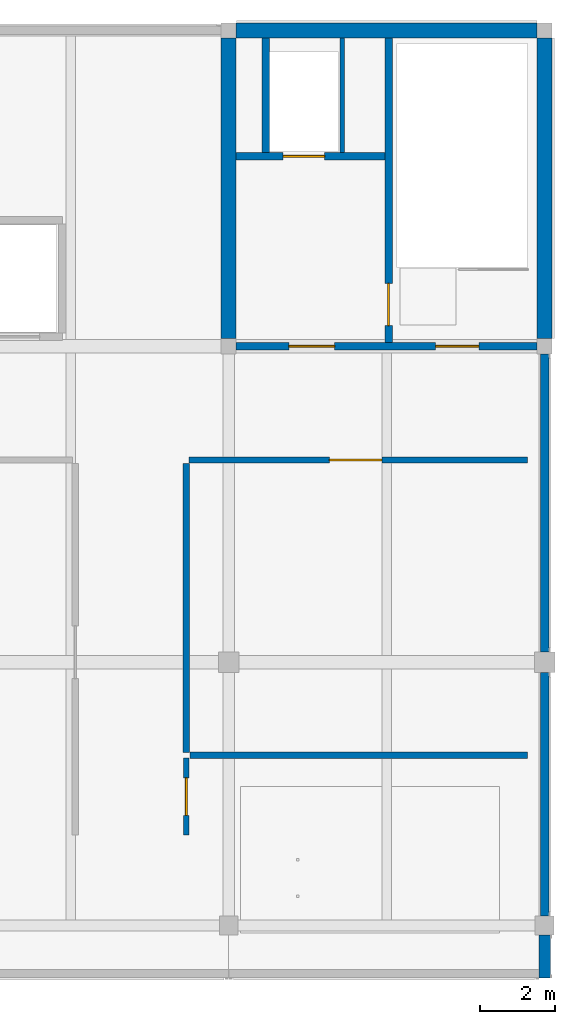
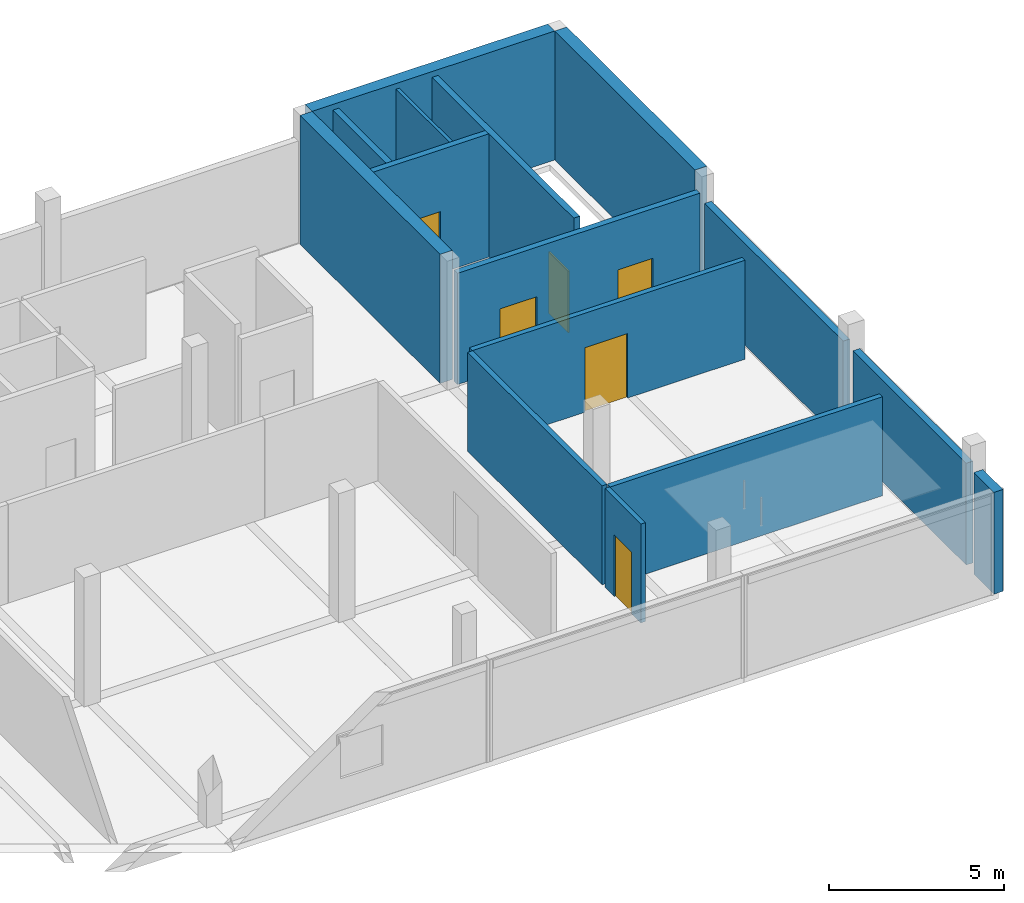
# One storey, part 3 of 11: 15 walls, 6 doors, 6 openings.
"""IFC4 building model written with IfcOpenShell, lengths in metres."""

from ifc_helpers import new_model, si_unit, direction, frame, frame_2d, origin, place, context, subcontext, project, spatial, rectangle, extrude, material, layer, layer_set, type_object, element, fill, save


model = new_model("IFC4")

# Units and contexts
model_context = context("Model", 3, precision=1e-05, world=origin(), true_north=direction((0.0, 1.0)))
body_context = subcontext(model_context, "Body", "Model", "MODEL_VIEW")
ifc_project = project(units=[si_unit("LENGTHUNIT", "METRE"), si_unit("AREAUNIT", "SQUARE_METRE"), si_unit("VOLUMEUNIT", "CUBIC_METRE"), si_unit("PLANEANGLEUNIT", "RADIAN"), si_unit("MASSUNIT", "GRAM", prefix="KILO")], contexts=[model_context])

# Site, building, storey
site_placement = place(None, origin())
site = spatial("IfcSite", under=ifc_project, at=site_placement, CompositionType="ELEMENT")
building_placement = place(site_placement, origin())
building = spatial("IfcBuilding", under=site, at=building_placement, Name="Telukmera Botanical Conservatory", CompositionType="ELEMENT")
storey_placement = place(building_placement, frame((0.0, 0.0, 73.5)))
storey = spatial("IfcBuildingStorey", under=building, at=storey_placement, Name="L16", CompositionType="ELEMENT", Elevation=73.5)

# Walls
ifc_material_1 = material(Name="Terracotta-faced precast concrete C40/50", Category="masonry")
ifc_layer_1 = layer(ifc_material_1, 0.300048828125)
ifc_layer_set_1 = layer_set([ifc_layer_1], Name="Terracotta-faced precast concrete C40/50")
wall_type_1 = type_object("IfcWallType", Name="Exterior Polychrome Terracotta Precast Wall 300", PredefinedType="SOLIDWALL", material=ifc_layer_set_1)
wall_1_placement = place(storey_placement, frame((100.800048828125, 9.199951171875, 0.0), z_axis=(0.0, 0.0, 1.0), x_axis=(0.0, 1.0, 0.0)))
element("IfcWall", 1, at=wall_1_placement, inside=storey, type_object=wall_type_1, Name="Exterior Precast Wall EW02 V4:L16:SEC", PredefinedType="SOLIDWALL", context=body_context, shape_type="SweptSolid", body=[
    extrude(rectangle(XDim=1.14794921875, YDim=0.300048828125, at=frame_2d((0.573974609375, 0.0))), origin(), (0.0, 0.0, 1.0), 3.550048828125),
])
ifc_layer_2 = layer(ifc_material_1, 0.219970703125)
ifc_layer_set_2 = layer_set([ifc_layer_2], Name="Terracotta-faced precast concrete C40/50")
wall_type_2 = type_object("IfcWallType", Name="Exterior Terracotta Rainscreen Cladding Wall 220", PredefinedType="USERDEFINED", material=ifc_layer_set_2)
wall_2_placement = place(storey_placement, frame((100.800048828125, 10.85205078125, 0.0), z_axis=(0.0, 0.0, 1.0), x_axis=(0.0, 1.0, 0.0)))
element("IfcWall", 2, at=wall_2_placement, inside=storey, type_object=wall_type_2, Name="Exterior Precast Wall EW07 V4:L16:E1", ObjectType="CLADDING", PredefinedType="USERDEFINED", context=body_context, shape_type="SweptSolid", body=[
    extrude(rectangle(XDim=6.470947265625, YDim=0.219970703125, at=frame_2d((3.2353515625, 0.0))), origin(), (0.0, 0.0, 1.0), 3.550048828125),
])
wall_3_placement = place(storey_placement, frame((100.800048828125, 17.876953125, 0.0), z_axis=(0.0, 0.0, 1.0), x_axis=(0.0, 1.0, 0.0)))
element("IfcWall", 3, at=wall_3_placement, inside=storey, type_object=wall_type_2, Name="Exterior Precast Wall EW07 V4:L16:E2", ObjectType="CLADDING", PredefinedType="USERDEFINED", context=body_context, shape_type="SweptSolid", body=[
    extrude(rectangle(XDim=7.921142578125, YDim=0.219970703125, at=frame_2d((3.96044921875, 0.0))), origin(), (0.0, 0.0, 1.0), 3.550048828125),
])

# Wall, openings, doors
ifc_material_2 = material(Name="Concrete C40/50", Category="concrete")
ifc_layer_3 = layer(ifc_material_2, 0.199951171875)
ifc_layer_set_3 = layer_set([ifc_layer_3], Name="Concrete C40/50")
wall_type_3 = type_object("IfcWallType", Name="WT-CORE-200", PredefinedType="SOLIDWALL", material=ifc_layer_set_3)
wall_4_placement = place(storey_placement, frame((92.60009765625, 26.0, 0.0), z_axis=(0.0, 0.0, 1.0), x_axis=(1.0, 0.0, 0.0)))
wall_4 = element("IfcWall", 4, at=wall_4_placement, inside=storey, type_object=wall_type_3, Name="L16 Core C2 South Fire Wall", PredefinedType="SOLIDWALL", context=body_context, shape_type="SweptSolid", body=[
    extrude(rectangle(XDim=8.0, YDim=0.199951171875, at=frame_2d((4.0, 0.0))), origin(), (0.0, 0.0, 1.0), 3.8798828125),
])
opening_1_placement = place(wall_4_placement, frame((1.39990234375, 0.0, 0.0)))
opening_1 = element("IfcOpeningElement", 5, at=opening_1_placement, cuts=wall_4, Name="Opening FD60C", PredefinedType="OPENING", context=body_context, shape_type="SweptSolid", body=[
    extrude(rectangle(XDim=1.219970703125, YDim=2.14990234375, at=frame_2d((0.60986328125, 1.074951171875))), frame((0.0, 0.10986328125, 0.0), z_axis=(0.0, -1.0, 0.0), x_axis=(1.0, 0.0, 0.0)), (0.0, 0.0, 1.0), 0.219970703125),
])
opening_2_placement = place(wall_4_placement, frame((5.300048828125, 0.0, 0.0)))
opening_2 = element("IfcOpeningElement", 6, at=opening_2_placement, cuts=wall_4, Name="Opening FD60A", PredefinedType="OPENING", context=body_context, shape_type="SweptSolid", body=[
    extrude(rectangle(XDim=1.14990234375, YDim=2.14990234375, at=frame_2d((0.574951171875, 1.074951171875))), frame((0.0, 0.10986328125, 0.0), z_axis=(0.0, -1.0, 0.0), x_axis=(1.0, 0.0, 0.0)), (0.0, 0.0, 1.0), 0.219970703125),
])
ifc_material_3 = material(Name="Hardwood fire door", Category="wood")
door_type_1 = type_object("IfcDoorType", Name="DT-FD60-01", OperationType="NOTDEFINED", PredefinedType="DOOR", material=ifc_material_3)
door_1_placement = place(opening_2_placement, origin())
door_1 = element("IfcDoor", 7, at=door_1_placement, inside=storey, type_object=door_type_1, Name="L16 Stair ST2 Escape Door", OperationType="SINGLE_SWING_RIGHT", OverallHeight=2.14990234375, OverallWidth=1.14990234375, PredefinedType="DOOR", context=body_context, shape_type="SweptSolid", body=[
    extrude(rectangle(XDim=1.14990234375, YDim=2.14990234375, at=frame_2d((0.574951171875, 1.074951171875))), frame((0.0, 0.02490234375, 0.0), z_axis=(0.0, -1.0, 0.0), x_axis=(1.0, 0.0, 0.0)), (0.0, 0.0, 1.0), 0.050048828125),
])
fill(opening_2, door_1)
door_type_2 = type_object("IfcDoorType", Name="DT-FD60-03", OperationType="NOTDEFINED", PredefinedType="DOOR", material=ifc_material_3)
door_2_placement = place(opening_1_placement, origin())
door_2 = element("IfcDoor", 8, at=door_2_placement, inside=storey, type_object=door_type_2, Name="L16 Firefighting Lobby C2 Door", OperationType="SINGLE_SWING_LEFT", OverallHeight=2.14990234375, OverallWidth=1.219970703125, PredefinedType="DOOR", context=body_context, shape_type="SweptSolid", body=[
    extrude(rectangle(XDim=1.219970703125, YDim=2.14990234375, at=frame_2d((0.60986328125, 1.074951171875))), frame((0.0, 0.02490234375, 0.0), z_axis=(0.0, -1.0, 0.0), x_axis=(1.0, 0.0, 0.0)), (0.0, 0.0, 1.0), 0.050048828125),
])
fill(opening_1, door_2)

# Wall, opening, door
wall_5_placement = place(storey_placement, frame((96.64990234375, 26.10009765625, 0.0), z_axis=(0.0, 0.0, 1.0), x_axis=(0.0, 1.0, 0.0)))
wall_5 = element("IfcWall", 9, at=wall_5_placement, inside=storey, type_object=wall_type_3, Name="L16 Core C2 Stair-Lobby Wall", PredefinedType="SOLIDWALL", context=body_context, shape_type="SweptSolid", body=[
    extrude(rectangle(XDim=8.099853515625, YDim=0.199951171875, at=frame_2d((4.0498046875, 0.0))), origin(), (0.0, 0.0, 1.0), 4.300048828125),
])
opening_3_placement = place(wall_5_placement, frame((0.449951171875, 0.0, 0.0)))
opening_3 = element("IfcOpeningElement", 10, at=opening_3_placement, cuts=wall_5, Name="Opening FD60B", PredefinedType="OPENING", context=body_context, shape_type="SweptSolid", body=[
    extrude(rectangle(XDim=1.1201171875, YDim=2.14990234375, at=frame_2d((0.56005859375, 1.074951171875))), frame((0.0, 0.10986328125, 0.0), z_axis=(0.0, -1.0, 0.0), x_axis=(1.0, 0.0, 0.0)), (0.0, 0.0, 1.0), 0.219970703125),
])
door_type_3 = type_object("IfcDoorType", Name="DT-FD60-02", OperationType="NOTDEFINED", PredefinedType="DOOR", material=ifc_material_3)
door_3_placement = place(opening_3_placement, frame((1.1201171875, 0.0, 0.0), z_axis=(0.0, 0.0, 1.0), x_axis=(-1.0, 0.0, 0.0)))
door_3 = element("IfcDoor", 11, at=door_3_placement, inside=storey, type_object=door_type_3, Name="L16 Firefighting Lobby C2 to ST2 Door", OperationType="SINGLE_SWING_LEFT", OverallHeight=2.14990234375, OverallWidth=1.1201171875, PredefinedType="DOOR", context=body_context, shape_type="SweptSolid", body=[
    extrude(rectangle(XDim=1.1201171875, YDim=2.14990234375, at=frame_2d((0.56005859375, 1.074951171875))), frame((0.0, 0.02490234375, 0.0), z_axis=(0.0, -1.0, 0.0), x_axis=(1.0, 0.0, 0.0)), (0.0, 0.0, 1.0), 0.050048828125),
])
fill(opening_3, door_3)

wall_6_placement = place(storey_placement, frame((92.60009765625, 31.050048828125, 0.0), z_axis=(0.0, 0.0, 1.0), x_axis=(1.0, 0.0, 0.0)))
wall_6 = element("IfcWall", 12, at=wall_6_placement, inside=storey, type_object=wall_type_3, Name="L16 Fire Lift FL2 Shaft Front Wall", PredefinedType="SOLIDWALL", context=body_context, shape_type="SweptSolid", body=[
    extrude(rectangle(XDim=3.949951171875, YDim=0.199951171875, at=frame_2d((1.97509765625, 0.0))), origin(), (0.0, 0.0, 1.0), 4.300048828125),
])
opening_4_placement = place(wall_6_placement, frame((1.25, 0.0, 0.0)))
opening_4 = element("IfcOpeningElement", 13, at=opening_4_placement, cuts=wall_6, Name="Opening LD01", PredefinedType="OPENING", context=body_context, shape_type="SweptSolid", body=[
    extrude(rectangle(XDim=1.10009765625, YDim=2.14990234375, at=frame_2d((0.550048828125, 1.074951171875))), frame((0.0, 0.10986328125, 0.0), z_axis=(0.0, -1.0, 0.0), x_axis=(1.0, 0.0, 0.0)), (0.0, 0.0, 1.0), 0.219970703125),
])
ifc_material_4 = material(Name="Stainless steel 316", Category="steel")
door_type_4 = type_object("IfcDoorType", Name="DT-LD01", OperationType="SLIDING_TO_LEFT", PredefinedType="DOOR", material=ifc_material_4)
door_4_placement = place(opening_4_placement, frame((1.10009765625, 0.0, 0.0), z_axis=(0.0, 0.0, 1.0), x_axis=(-1.0, 0.0, 0.0)))
door_4 = element("IfcDoor", 14, at=door_4_placement, inside=storey, type_object=door_type_4, Name="L16 Lift Landing Door FL2", OperationType="SLIDING_TO_LEFT", OverallHeight=2.14990234375, OverallWidth=1.10009765625, PredefinedType="DOOR", context=body_context, shape_type="SweptSolid", body=[
    extrude(rectangle(XDim=1.10009765625, YDim=2.14990234375, at=frame_2d((0.550048828125, 1.074951171875))), frame((0.0, 0.02490234375, 0.0), z_axis=(0.0, -1.0, 0.0), x_axis=(1.0, 0.0, 0.0)), (0.0, 0.0, 1.0), 0.050048828125),
])
fill(opening_4, door_4)

# Wall
wall_7_placement = place(storey_placement, frame((93.3798828125, 31.14990234375, 0.0), z_axis=(0.0, 0.0, 1.0), x_axis=(0.0, 1.0, 0.0)))
element("IfcWall", 15, at=wall_7_placement, inside=storey, type_object=wall_type_3, Name="L16 Fire Lift FL2 Shaft West Wall", PredefinedType="SOLIDWALL", context=body_context, shape_type="SweptSolid", body=[
    extrude(rectangle(XDim=3.050048828125, YDim=0.199951171875, at=frame_2d((1.52490234375, 0.0))), origin(), (0.0, 0.0, 1.0), 4.300048828125),
])

# Wall, opening, door
ifc_material_5 = material(Name="Blockwork masonry", Category="masonry")
ifc_layer_4 = layer(ifc_material_5, 0.169921875)
ifc_layer_set_4 = layer_set([ifc_layer_4], Name="Blockwork masonry")
wall_type_4 = type_object("IfcWallType", Name="WT-PLANT-170", PredefinedType="PARTITIONING", material=ifc_layer_set_4)
wall_8_placement = place(storey_placement, frame((91.35009765625, 22.97509765625, 0.0), z_axis=(0.0, 0.0, 1.0), x_axis=(1.0, 0.0, 0.0)))
wall_8 = element("IfcWall", 16, at=wall_8_placement, inside=storey, type_object=wall_type_4, Name="L16 Interior Partition 13", PredefinedType="PARTITIONING", context=body_context, shape_type="SweptSolid", body=[
    extrude(rectangle(XDim=9.0, YDim=0.169921875, at=frame_2d((4.5, 0.0))), origin(), (0.0, 0.0, 1.0), 3.449951171875),
])
opening_5_placement = place(wall_8_placement, frame((3.724609375, 0.0, 0.0)))
opening_5 = element("IfcOpeningElement", 17, at=opening_5_placement, cuts=wall_8, Name="Opening ID05", PredefinedType="OPENING", context=body_context, shape_type="SweptSolid", body=[
    extrude(rectangle(XDim=1.39990234375, YDim=2.25, at=frame_2d((0.699951171875, 1.125))), frame((0.0, 0.094970703125, 0.0), z_axis=(0.0, -1.0, 0.0), x_axis=(1.0, 0.0, 0.0)), (0.0, 0.0, 1.0), 0.18994140625),
])
ifc_material_6 = material(Name="Louvred steel plant double door", Category="steel")
door_type_5 = type_object("IfcDoorType", Name="DT-PLANT-140", OperationType="NOTDEFINED", PredefinedType="DOOR", material=ifc_material_6)
door_5_placement = place(opening_5_placement, frame((1.39990234375, 0.0, 0.0), z_axis=(0.0, 0.0, 1.0), x_axis=(-1.0, 0.0, 0.0)))
door_5 = element("IfcDoor", 18, at=door_5_placement, inside=storey, type_object=door_type_5, Name="L16 Laboratory Exhaust Scrubber Plant Door", OperationType="SINGLE_SWING_LEFT", OverallHeight=2.25, OverallWidth=1.39990234375, PredefinedType="DOOR", context=body_context, shape_type="SweptSolid", body=[
    extrude(rectangle(XDim=1.39990234375, YDim=2.25, at=frame_2d((0.699951171875, 1.125))), frame((0.0, 0.02490234375, 0.0), z_axis=(0.0, -1.0, 0.0), x_axis=(1.0, 0.0, 0.0)), (0.0, 0.0, 1.0), 0.050048828125),
])
fill(opening_5, door_5)

# Walls
wall_9_placement = place(storey_placement, frame((91.27490234375, 15.199951171875, 0.0), z_axis=(0.0, 0.0, 1.0), x_axis=(0.0, 1.0, 0.0)))
element("IfcWall", 19, at=wall_9_placement, inside=storey, type_object=wall_type_4, Name="L16 Interior Partition 15", PredefinedType="PARTITIONING", context=body_context, shape_type="SweptSolid", body=[
    extrude(rectangle(XDim=7.679931640625, YDim=0.169921875, at=frame_2d((3.83984375, 0.0))), origin(), (0.0, 0.0, 1.0), 3.449951171875),
])
wall_10_placement = place(storey_placement, frame((91.3701171875, 15.125, 0.0), z_axis=(0.0, 0.0, 1.0), x_axis=(1.0, 0.0, 0.0)))
element("IfcWall", 20, at=wall_10_placement, inside=storey, type_object=wall_type_4, Name="L16 Interior Partition 18", PredefinedType="PARTITIONING", context=body_context, shape_type="SweptSolid", body=[
    extrude(rectangle(XDim=8.97998046875, YDim=0.169921875, at=frame_2d((4.489990234375, 0.0))), origin(), (0.0, 0.0, 1.0), 3.449951171875),
])
ifc_material_7 = material(Name="Gypsum shaftwall liner")
ifc_layer_5 = layer(ifc_material_7, 0.110107421875)
ifc_layer_set_5 = layer_set([ifc_layer_5], Name="Gypsum shaftwall liner")
wall_type_5 = type_object("IfcWallType", Name="WT-RISER-110", PredefinedType="PARTITIONING", material=ifc_layer_set_5)
wall_11_placement = place(storey_placement, frame((95.419921875, 31.14990234375, 0.0), z_axis=(0.0, 0.0, 1.0), x_axis=(0.0, 1.0, 0.0)))
element("IfcWall", 21, at=wall_11_placement, inside=storey, type_object=wall_type_5, Name="L16 Wet Riser C2 Shaft Wall", PredefinedType="PARTITIONING", context=body_context, shape_type="SweptSolid", body=[
    extrude(rectangle(XDim=3.050048828125, YDim=0.110107421875, at=frame_2d((1.52490234375, 0.0))), origin(), (0.0, 0.0, 1.0), 4.300048828125),
])

# Wall, opening, door
ifc_material_8 = material(Name="Gypsum acoustic stud partition")
ifc_layer_6 = layer(ifc_material_8, 0.14990234375)
ifc_layer_set_6 = layer_set([ifc_layer_6], Name="Gypsum acoustic stud partition")
wall_type_6 = type_object("IfcWallType", Name="WT-STD-150", PredefinedType="PARTITIONING", material=ifc_layer_set_6)
wall_12_placement = place(storey_placement, frame((91.27490234375, 13.0, 0.0), z_axis=(0.0, 0.0, 1.0), x_axis=(0.0, 1.0, 0.0)))
wall_12 = element("IfcWall", 22, at=wall_12_placement, inside=storey, type_object=wall_type_6, Name="L16 Interior Partition 16", PredefinedType="PARTITIONING", context=body_context, shape_type="SweptSolid", body=[
    extrude(rectangle(XDim=2.050048828125, YDim=0.14990234375, at=frame_2d((1.02490234375, 0.0))), origin(), (0.0, 0.0, 1.0), 3.449951171875),
])
opening_6_placement = place(wall_12_placement, frame((0.52490234375, 0.0, 0.0)))
opening_6 = element("IfcOpeningElement", 23, at=opening_6_placement, cuts=wall_12, Name="Opening ID14", PredefinedType="OPENING", context=body_context, shape_type="SweptSolid", body=[
    extrude(rectangle(XDim=1.0, YDim=2.14990234375, at=frame_2d((0.5, 1.074951171875))), frame((0.0, 0.0849609375, 0.0), z_axis=(0.0, -1.0, 0.0), x_axis=(1.0, 0.0, 0.0)), (0.0, 0.0, 1.0), 0.169921875),
])
ifc_material_9 = material(Name="Acoustic timber office door", Category="wood")
door_type_6 = type_object("IfcDoorType", Name="DT-WRT-100", OperationType="NOTDEFINED", PredefinedType="DOOR", material=ifc_material_9)
door_6_placement = place(opening_6_placement, frame((1.0, 0.0, 0.0), z_axis=(0.0, 0.0, 1.0), x_axis=(-1.0, 0.0, 0.0)))
door_6 = element("IfcDoor", 24, at=door_6_placement, inside=storey, type_object=door_type_6, Name="L16 Building Energy Control Studio Door", OperationType="SINGLE_SWING_RIGHT", OverallHeight=2.14990234375, OverallWidth=1.0, PredefinedType="DOOR", context=body_context, shape_type="SweptSolid", body=[
    extrude(rectangle(XDim=1.0, YDim=2.14990234375, at=frame_2d((0.5, 1.074951171875))), frame((0.0, 0.02490234375, 0.0), z_axis=(0.0, -1.0, 0.0), x_axis=(1.0, 0.0, 0.0)), (0.0, 0.0, 1.0), 0.050048828125),
])
fill(opening_6, door_6)

# Walls
ifc_material_10 = material(Name="Concrete C50/60", Category="concrete")
ifc_layer_7 = layer(ifc_material_10, 0.39990234375)
ifc_layer_set_7 = layer_set([ifc_layer_7], Name="Concrete C50/60")
wall_type_7 = type_object("IfcWallType", Name="Wall_CW1", PredefinedType="SHEAR", material=ifc_layer_set_7)
for number, where, z_axis, x_axis, name in (
    (25, (92.39990234375, 26.199951171875, 0.0), (0.0, 0.0, 1.0), (0.0, 1.0, 0.0), "Core C2 Shear Wall West L16"),
    (26, (100.800048828125, 26.199951171875, 0.0), (0.0, 0.0, 1.0), (0.0, 1.0, 0.0), "Core C2 Shear Wall East L16"),
    (27, (92.60009765625, 34.39990234375, 0.0), (0.0, 0.0, 1.0), (1.0, 0.0, 0.0), "Core C2 Shear Wall North L16"),
):
    element("IfcWall", number, at=place(storey_placement, frame(where, z_axis=z_axis, x_axis=x_axis)), inside=storey, type_object=wall_type_7, Name=name, PredefinedType="SHEAR", context=body_context, shape_type="SweptSolid", body=[
        extrude(rectangle(XDim=8.0, YDim=0.39990234375, at=frame_2d((4.0, 0.0))), origin(), (0.0, 0.0, 1.0), 4.5),
    ])

save(model, "model.ifc")
